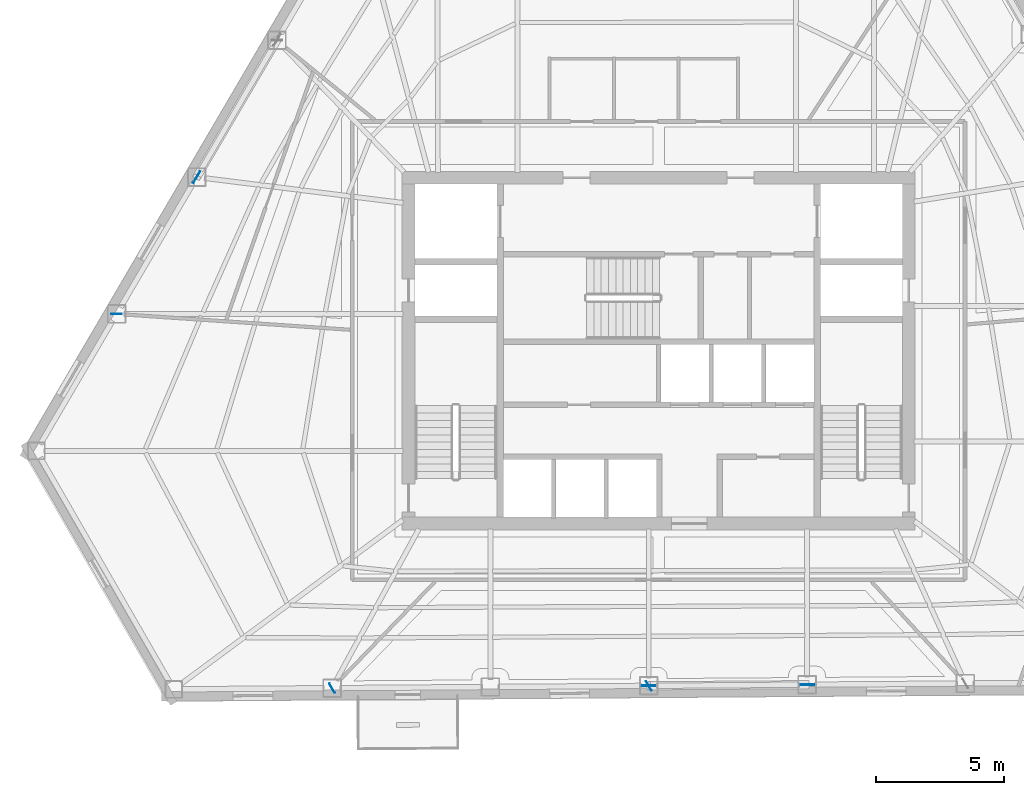
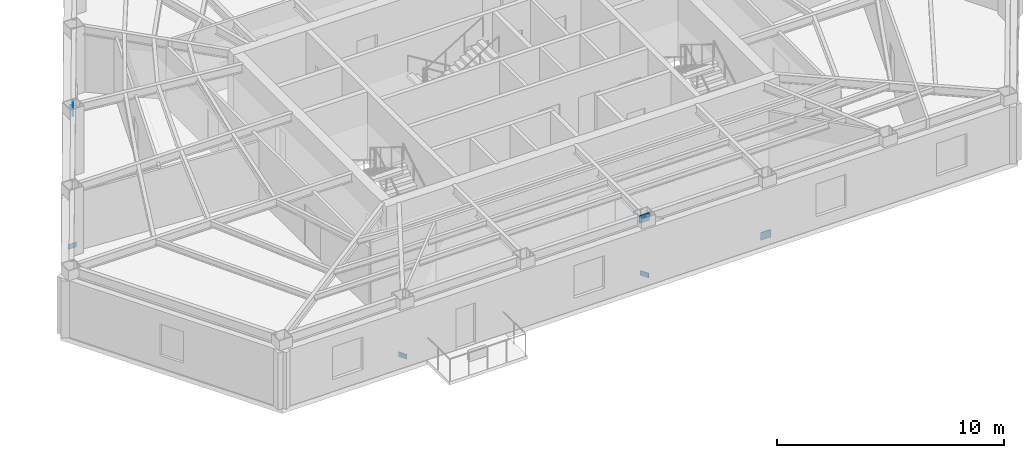
# One storey, part 4 of 12: 6 plates.
"""IFC4 building model written with IfcOpenShell, lengths in metres."""

from ifc_helpers import new_model, si_unit, direction, frame, origin, origin_2d, place, context, subcontext, project, spatial, rectangle, extrude, material, layer, layer_set, type_object, element, save


model = new_model("IFC4")

# Units and contexts
model_context = context("Model", 3, precision=1e-05, world=origin(), true_north=direction((0.0, 1.0)))
body_context = subcontext(model_context, "Body", "Model", "MODEL_VIEW")
ifc_project = project(units=[si_unit("LENGTHUNIT", "METRE"), si_unit("AREAUNIT", "SQUARE_METRE"), si_unit("VOLUMEUNIT", "CUBIC_METRE"), si_unit("PLANEANGLEUNIT", "RADIAN"), si_unit("MASSUNIT", "GRAM", prefix="KILO")], contexts=[model_context])

# Site, building, storey
site_placement = place(None, origin())
site = spatial("IfcSite", under=ifc_project, at=site_placement, CompositionType="ELEMENT")
building_placement = place(site_placement, origin())
building = spatial("IfcBuilding", under=site, at=building_placement, Name="Kavelnor Concourse Tower", CompositionType="ELEMENT")
storey_placement = place(building_placement, frame((0.0, 0.0, 143.25)))
storey = spatial("IfcBuildingStorey", under=building, at=storey_placement, Name="L36", CompositionType="ELEMENT", Elevation=143.25)

# Plates
ifc_material = material(Name="Steel Grade 350", Category="steel")
ifc_layer_1 = layer(ifc_material, 0.031982421875, Name="Steel Grade 350")
ifc_layer_set_1 = layer_set([ifc_layer_1], Name="Steel Grade 350")
plate_type_1 = type_object("IfcPlateType", Name="PL-GUSSET-TUBE-Z1", PredefinedType="USERDEFINED", material=ifc_layer_set_1)
for number, where, z_axis, x_axis, name in (
    (1, (19.954833984375, 22.867919921875, 3.12353515625), (0.0, 0.0, 1.0), (-0.505431492718, -0.862866737202, 0.0), "L36 Tube Brace Gusset GP3 F0-B3 End Gusset B"),
    (2, (43.810302734375, 3.0546875, 0.010009765625), (0.0, 0.0, 1.0), (-0.999973132864, -0.007330317209, 0.0), "L36 Tube Brace Gusset GP3 F1-B3 End Gusset A"),
    (3, (37.602294921875, 3.009033203125, 3.12353515625), (0.0, 0.0, 1.0), (-0.999973132864, -0.007330317209, 0.0), "L36 Tube Brace Gusset GP3 F1-B3 End Gusset B"),
):
    element("IfcPlate", number, at=place(storey_placement, frame(where, z_axis=z_axis, x_axis=x_axis)), inside=storey, type_object=plate_type_1, Name=name, ObjectType="GUSSET_PLATE", PredefinedType="USERDEFINED", context=body_context, shape_type="SweptSolid", body=[
        extrude(rectangle(XDim=0.52001953125, YDim=0.031982421875, at=origin_2d()), origin(), (0.0, 0.0, 1.0), 0.419921875),
    ])
ifc_layer_2 = layer(ifc_material, 0.02490234375, Name="Steel Grade 350")
ifc_layer_set_2 = layer_set([ifc_layer_2], Name="Steel Grade 350")
plate_type_2 = type_object("IfcPlateType", Name="PL-SPLICE-FLANGE", PredefinedType="SHEET", material=ifc_layer_set_2)
for number, where, z_axis, x_axis, name in (
    (4, (16.829345703125, 17.53271484375, 0.169921875), (0.0, 0.0, 1.0), (1.0, 0.0, 0.0), "L36 Column Flange Splice Plate F0-B5"),
    (5, (25.24609375, 2.91796875, 0.169921875), (0.0, 0.0, 1.0), (-0.5, 0.866025403784, 0.0), "L36 Column Flange Splice Plate F1-B1"),
    (6, (37.6142578125, 3.009033203125, 0.169921875), (0.0, 0.0, 1.0), (-0.5, 0.866025403784, 0.0), "L36 Column Flange Splice Plate F1-B3"),
):
    element("IfcPlate", number, at=place(storey_placement, frame(where, z_axis=z_axis, x_axis=x_axis)), inside=storey, type_object=plate_type_2, Name=name, PredefinedType="SHEET", context=body_context, shape_type="SweptSolid", body=[
        extrude(rectangle(XDim=0.419921875, YDim=0.02490234375, at=origin_2d()), origin(), (0.0, 0.0, 1.0), 0.260009765625),
    ])

save(model, "model.ifc")
